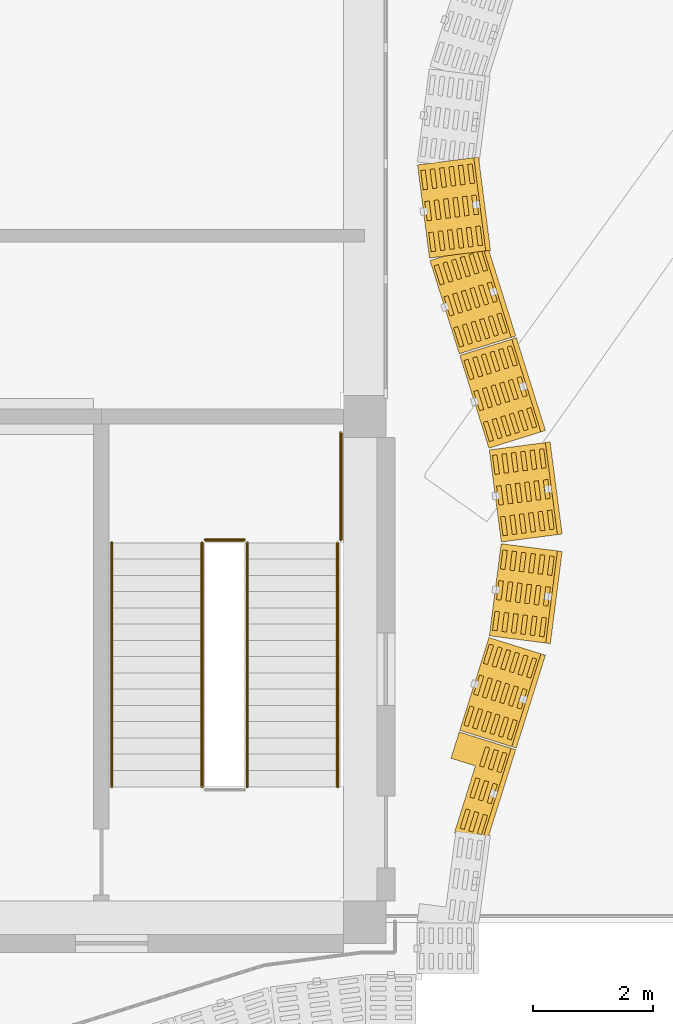
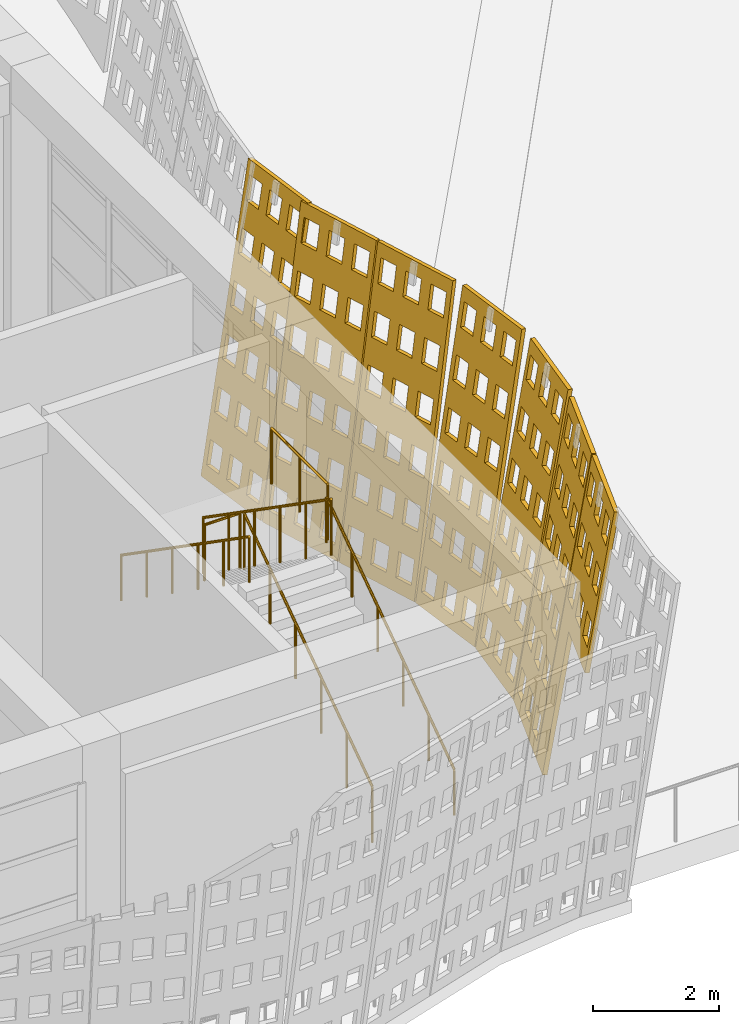
# One storey, part 155 of 210: 7 coverings, 6 railings.
"""IFC4 building model written with IfcOpenShell, lengths in metres."""

from ifc_helpers import new_model, si_unit, direction, frame, origin, origin_2d, place, context, subcontext, project, spatial, polyline, circle, outline, extrude, material, layer, layer_set, type_object, element, save


model = new_model("IFC4")

# Units and contexts
model_context = context("Model", 3, precision=1e-05, world=origin(), true_north=direction((0.0, 1.0)))
body_context = subcontext(model_context, "Body", "Model", "MODEL_VIEW")
ifc_project = project(units=[si_unit("LENGTHUNIT", "METRE"), si_unit("AREAUNIT", "SQUARE_METRE"), si_unit("VOLUMEUNIT", "CUBIC_METRE"), si_unit("PLANEANGLEUNIT", "RADIAN"), si_unit("MASSUNIT", "GRAM", prefix="KILO")], contexts=[model_context])

# Site, building, storey
site_placement = place(None, origin())
site = spatial("IfcSite", under=ifc_project, at=site_placement, CompositionType="ELEMENT")
building_placement = place(site_placement, origin())
building = spatial("IfcBuilding", under=site, at=building_placement, Name="Rain Tree Exposition and Congress Centre", CompositionType="ELEMENT")
storey_placement = place(building_placement, origin())
storey = spatial("IfcBuildingStorey", under=building, at=storey_placement, Name="L00", CompositionType="ELEMENT", Elevation=0.0)

# Coverings
ifc_material_1 = material(Name="Perforated terracotta", Category="masonry")
ifc_layer = layer(ifc_material_1, 0.080078125)
ifc_layer_set = layer_set([ifc_layer], Name="Perforated terracotta")
covering_type = type_object("IfcCoveringType", Name="Terracotta screen 80", PredefinedType="CLADDING", material=ifc_layer_set)
covering_1_placement = place(storey_placement, frame((51.554931640625, 1.574951171875, 0.0), z_axis=(-0.942480618158, 0.295859611525, 0.155555053482), x_axis=(-0.29950542383, -0.954094597562, 0.0)))
element("IfcCovering", 1, at=covering_1_placement, inside=storey, type_object=covering_type, Name="wing/screen/L00/036", PredefinedType="CLADDING", context=body_context, shape_type="SweptSolid", body=[
    extrude(outline(polyline([(-0.014892578125, 5.808349609375), (-0.014892578125, 2.7333984375), (-1.17919921875, 2.7333984375), (-1.17919921875, 0.0), (-1.635986328125, 0.0), (-1.635986328125, 5.808349609375), (-0.014892578125, 5.808349609375)]), holes=[polyline([(-0.11767578125, 3.154052734375), (-0.11767578125, 3.62255859375), (-0.45263671875, 3.62255859375), (-0.45263671875, 3.154052734375), (-0.11767578125, 3.154052734375)]), polyline([(-0.11767578125, 4.1220703125), (-0.11767578125, 4.590576171875), (-0.45263671875, 4.590576171875), (-0.45263671875, 4.1220703125), (-0.11767578125, 4.1220703125)]), polyline([(-0.11767578125, 5.090087890625), (-0.11767578125, 5.55859375), (-0.45263671875, 5.55859375), (-0.45263671875, 5.090087890625), (-0.11767578125, 5.090087890625)]), polyline([(-0.657958984375, 3.154052734375), (-0.657958984375, 3.62255859375), (-0.992919921875, 3.62255859375), (-0.992919921875, 3.154052734375), (-0.657958984375, 3.154052734375)]), polyline([(-0.657958984375, 4.1220703125), (-0.657958984375, 4.590576171875), (-0.992919921875, 4.590576171875), (-0.992919921875, 4.1220703125), (-0.657958984375, 4.1220703125)]), polyline([(-0.657958984375, 5.090087890625), (-0.657958984375, 5.55859375), (-0.992919921875, 5.55859375), (-0.992919921875, 5.090087890625), (-0.657958984375, 5.090087890625)]), polyline([(-1.1982421875, 3.154052734375), (-1.1982421875, 3.62255859375), (-1.533203125, 3.62255859375), (-1.533203125, 3.154052734375), (-1.1982421875, 3.154052734375)]), polyline([(-1.1982421875, 4.1220703125), (-1.1982421875, 4.590576171875), (-1.533203125, 4.590576171875), (-1.533203125, 4.1220703125), (-1.1982421875, 4.1220703125)]), polyline([(-1.1982421875, 5.090087890625), (-1.1982421875, 5.55859375), (-1.533203125, 5.55859375), (-1.533203125, 5.090087890625), (-1.1982421875, 5.090087890625)])]), origin(), (0.0, 0.0, 1.0), 0.080078125),
])
covering_2_placement = place(storey_placement, frame((52.050048828125, 3.14990234375, 0.0), z_axis=(-0.942480618158, 0.295859611525, 0.155555053482), x_axis=(-0.29950542383, -0.954094597562, 0.0)))
element("IfcCovering", 2, at=covering_2_placement, inside=storey, type_object=covering_type, Name="wing/screen/L00/037", PredefinedType="CLADDING", context=body_context, shape_type="SweptSolid", body=[
    extrude(outline(polyline([(-0.014892578125, 5.808349609375), (-0.014892578125, 0.0), (-1.62890625, 0.0), (-1.62890625, 5.808349609375), (-0.014892578125, 5.808349609375)]), holes=[polyline([(-0.1171875, 0.249755859375), (-0.1171875, 0.71826171875), (-0.45068359375, 0.71826171875), (-0.45068359375, 0.249755859375), (-0.1171875, 0.249755859375)]), polyline([(-0.1171875, 1.218017578125), (-0.1171875, 1.686279296875), (-0.45068359375, 1.686279296875), (-0.45068359375, 1.218017578125), (-0.1171875, 1.218017578125)]), polyline([(-0.1171875, 2.18603515625), (-0.1171875, 2.654296875), (-0.45068359375, 2.654296875), (-0.45068359375, 2.18603515625), (-0.1171875, 2.18603515625)]), polyline([(-0.1171875, 3.154052734375), (-0.1171875, 3.62255859375), (-0.45068359375, 3.62255859375), (-0.45068359375, 3.154052734375), (-0.1171875, 3.154052734375)]), polyline([(-0.1171875, 4.1220703125), (-0.1171875, 4.590576171875), (-0.45068359375, 4.590576171875), (-0.45068359375, 4.1220703125), (-0.1171875, 4.1220703125)]), polyline([(-0.1171875, 5.090087890625), (-0.1171875, 5.55859375), (-0.45068359375, 5.55859375), (-0.45068359375, 5.090087890625), (-0.1171875, 5.090087890625)]), polyline([(-0.6552734375, 0.249755859375), (-0.6552734375, 0.71826171875), (-0.98876953125, 0.71826171875), (-0.98876953125, 0.249755859375), (-0.6552734375, 0.249755859375)]), polyline([(-0.6552734375, 1.218017578125), (-0.6552734375, 1.686279296875), (-0.98876953125, 1.686279296875), (-0.98876953125, 1.218017578125), (-0.6552734375, 1.218017578125)]), polyline([(-0.6552734375, 2.18603515625), (-0.6552734375, 2.654296875), (-0.98876953125, 2.654296875), (-0.98876953125, 2.18603515625), (-0.6552734375, 2.18603515625)]), polyline([(-0.6552734375, 3.154052734375), (-0.6552734375, 3.62255859375), (-0.98876953125, 3.62255859375), (-0.98876953125, 3.154052734375), (-0.6552734375, 3.154052734375)]), polyline([(-0.6552734375, 4.1220703125), (-0.6552734375, 4.590576171875), (-0.98876953125, 4.590576171875), (-0.98876953125, 4.1220703125), (-0.6552734375, 4.1220703125)]), polyline([(-0.6552734375, 5.090087890625), (-0.6552734375, 5.55859375), (-0.98876953125, 5.55859375), (-0.98876953125, 5.090087890625), (-0.6552734375, 5.090087890625)]), polyline([(-1.193115234375, 0.249755859375), (-1.193115234375, 0.71826171875), (-1.526611328125, 0.71826171875), (-1.526611328125, 0.249755859375), (-1.193115234375, 0.249755859375)]), polyline([(-1.193115234375, 1.218017578125), (-1.193115234375, 1.686279296875), (-1.526611328125, 1.686279296875), (-1.526611328125, 1.218017578125), (-1.193115234375, 1.218017578125)]), polyline([(-1.193115234375, 2.18603515625), (-1.193115234375, 2.654296875), (-1.526611328125, 2.654296875), (-1.526611328125, 2.18603515625), (-1.193115234375, 2.18603515625)]), polyline([(-1.193115234375, 3.154052734375), (-1.193115234375, 3.62255859375), (-1.526611328125, 3.62255859375), (-1.526611328125, 3.154052734375), (-1.193115234375, 3.154052734375)]), polyline([(-1.193115234375, 4.1220703125), (-1.193115234375, 4.590576171875), (-1.526611328125, 4.590576171875), (-1.526611328125, 4.1220703125), (-1.193115234375, 4.1220703125)]), polyline([(-1.193115234375, 5.090087890625), (-1.193115234375, 5.55859375), (-1.526611328125, 5.55859375), (-1.526611328125, 5.090087890625), (-1.193115234375, 5.090087890625)])]), origin(), (0.0, 0.0, 1.0), 0.080078125),
])
covering_3_placement = place(storey_placement, frame((52.544921875, 4.72509765625, 0.0), z_axis=(-0.978771781185, 0.125405134464, 0.162109076259), x_axis=(-0.127086122318, -0.991891686382, 0.0)))
element("IfcCovering", 3, at=covering_3_placement, inside=storey, type_object=covering_type, Name="wing/screen/L00/038", PredefinedType="CLADDING", context=body_context, shape_type="SweptSolid", body=[
    extrude(outline(polyline([(-0.02197265625, 5.813720703125), (-0.02197265625, 0.0), (-1.56298828125, 0.0), (-1.56298828125, 5.813720703125), (-0.02197265625, 5.813720703125)]), holes=[polyline([(-0.11962890625, 0.25), (-0.11962890625, 0.718994140625), (-0.43798828125, 0.718994140625), (-0.43798828125, 0.25), (-0.11962890625, 0.25)]), polyline([(-0.11962890625, 1.218994140625), (-0.11962890625, 1.687744140625), (-0.43798828125, 1.687744140625), (-0.43798828125, 1.218994140625), (-0.11962890625, 1.218994140625)]), polyline([(-0.11962890625, 2.18798828125), (-0.11962890625, 2.65673828125), (-0.43798828125, 2.65673828125), (-0.43798828125, 2.18798828125), (-0.11962890625, 2.18798828125)]), polyline([(-0.11962890625, 3.15673828125), (-0.11962890625, 3.625732421875), (-0.43798828125, 3.625732421875), (-0.43798828125, 3.15673828125), (-0.11962890625, 3.15673828125)]), polyline([(-0.11962890625, 4.125732421875), (-0.11962890625, 4.594482421875), (-0.43798828125, 4.594482421875), (-0.43798828125, 4.125732421875), (-0.11962890625, 4.125732421875)]), polyline([(-0.11962890625, 5.0947265625), (-0.11962890625, 5.5634765625), (-0.43798828125, 5.5634765625), (-0.43798828125, 5.0947265625), (-0.11962890625, 5.0947265625)]), polyline([(-0.63330078125, 0.25), (-0.63330078125, 0.718994140625), (-0.95166015625, 0.718994140625), (-0.95166015625, 0.25), (-0.63330078125, 0.25)]), polyline([(-0.63330078125, 1.218994140625), (-0.63330078125, 1.687744140625), (-0.95166015625, 1.687744140625), (-0.95166015625, 1.218994140625), (-0.63330078125, 1.218994140625)]), polyline([(-0.63330078125, 2.18798828125), (-0.63330078125, 2.65673828125), (-0.95166015625, 2.65673828125), (-0.95166015625, 2.18798828125), (-0.63330078125, 2.18798828125)]), polyline([(-0.63330078125, 3.15673828125), (-0.63330078125, 3.625732421875), (-0.95166015625, 3.625732421875), (-0.95166015625, 3.15673828125), (-0.63330078125, 3.15673828125)]), polyline([(-0.63330078125, 4.125732421875), (-0.63330078125, 4.594482421875), (-0.95166015625, 4.594482421875), (-0.95166015625, 4.125732421875), (-0.63330078125, 4.125732421875)]), polyline([(-0.63330078125, 5.0947265625), (-0.63330078125, 5.5634765625), (-0.95166015625, 5.5634765625), (-0.95166015625, 5.0947265625), (-0.63330078125, 5.0947265625)]), polyline([(-1.146728515625, 0.25), (-1.146728515625, 0.718994140625), (-1.46533203125, 0.718994140625), (-1.46533203125, 0.25), (-1.146728515625, 0.25)]), polyline([(-1.146728515625, 1.218994140625), (-1.146728515625, 1.687744140625), (-1.46533203125, 1.687744140625), (-1.46533203125, 1.218994140625), (-1.146728515625, 1.218994140625)]), polyline([(-1.146728515625, 2.18798828125), (-1.146728515625, 2.65673828125), (-1.46533203125, 2.65673828125), (-1.46533203125, 2.18798828125), (-1.146728515625, 2.18798828125)]), polyline([(-1.146728515625, 3.15673828125), (-1.146728515625, 3.625732421875), (-1.46533203125, 3.625732421875), (-1.46533203125, 3.15673828125), (-1.146728515625, 3.15673828125)]), polyline([(-1.146728515625, 4.125732421875), (-1.146728515625, 4.594482421875), (-1.46533203125, 4.594482421875), (-1.46533203125, 4.125732421875), (-1.146728515625, 4.125732421875)]), polyline([(-1.146728515625, 5.0947265625), (-1.146728515625, 5.5634765625), (-1.46533203125, 5.5634765625), (-1.46533203125, 5.0947265625), (-1.146728515625, 5.0947265625)])]), origin(), (0.0, 0.0, 1.0), 0.079833984375),
])
covering_4_placement = place(storey_placement, frame((52.75, 6.300048828125, 0.0), z_axis=(-0.978522114732, -0.1280309309, 0.161562841373), x_axis=(0.129735338481, -0.991548658387, 0.0)))
element("IfcCovering", 4, at=covering_4_placement, inside=storey, type_object=covering_type, Name="wing/screen/L00/039", PredefinedType="CLADDING", context=body_context, shape_type="SweptSolid", body=[
    extrude(outline(polyline([(-0.025390625, 5.813720703125), (-0.025390625, 0.0), (-1.56640625, 0.0), (-1.56640625, 5.813720703125), (-0.025390625, 5.813720703125)]), holes=[polyline([(-0.123046875, 0.25), (-0.123046875, 0.718994140625), (-0.44140625, 0.718994140625), (-0.44140625, 0.25), (-0.123046875, 0.25)]), polyline([(-0.123046875, 1.218994140625), (-0.123046875, 1.687744140625), (-0.44140625, 1.687744140625), (-0.44140625, 1.218994140625), (-0.123046875, 1.218994140625)]), polyline([(-0.123046875, 2.18798828125), (-0.123046875, 2.65673828125), (-0.44140625, 2.65673828125), (-0.44140625, 2.18798828125), (-0.123046875, 2.18798828125)]), polyline([(-0.123046875, 3.15673828125), (-0.123046875, 3.625732421875), (-0.44140625, 3.625732421875), (-0.44140625, 3.15673828125), (-0.123046875, 3.15673828125)]), polyline([(-0.123046875, 4.125732421875), (-0.123046875, 4.594482421875), (-0.44140625, 4.594482421875), (-0.44140625, 4.125732421875), (-0.123046875, 4.125732421875)]), polyline([(-0.123046875, 5.0947265625), (-0.123046875, 5.5634765625), (-0.44140625, 5.5634765625), (-0.44140625, 5.0947265625), (-0.123046875, 5.0947265625)]), polyline([(-0.63671875, 0.25), (-0.63671875, 0.718994140625), (-0.955078125, 0.718994140625), (-0.955078125, 0.25), (-0.63671875, 0.25)]), polyline([(-0.63671875, 1.218994140625), (-0.63671875, 1.687744140625), (-0.955078125, 1.687744140625), (-0.955078125, 1.218994140625), (-0.63671875, 1.218994140625)]), polyline([(-0.63671875, 2.18798828125), (-0.63671875, 2.65673828125), (-0.955078125, 2.65673828125), (-0.955078125, 2.18798828125), (-0.63671875, 2.18798828125)]), polyline([(-0.63671875, 3.15673828125), (-0.63671875, 3.625732421875), (-0.955078125, 3.625732421875), (-0.955078125, 3.15673828125), (-0.63671875, 3.15673828125)]), polyline([(-0.63671875, 4.125732421875), (-0.63671875, 4.594482421875), (-0.955078125, 4.594482421875), (-0.955078125, 4.125732421875), (-0.63671875, 4.125732421875)]), polyline([(-0.63671875, 5.0947265625), (-0.63671875, 5.5634765625), (-0.955078125, 5.5634765625), (-0.955078125, 5.0947265625), (-0.63671875, 5.0947265625)]), polyline([(-1.150146484375, 0.25), (-1.150146484375, 0.718994140625), (-1.46875, 0.718994140625), (-1.46875, 0.25), (-1.150146484375, 0.25)]), polyline([(-1.150146484375, 1.218994140625), (-1.150146484375, 1.687744140625), (-1.46875, 1.687744140625), (-1.46875, 1.218994140625), (-1.150146484375, 1.218994140625)]), polyline([(-1.150146484375, 2.18798828125), (-1.150146484375, 2.65673828125), (-1.46875, 2.65673828125), (-1.46875, 2.18798828125), (-1.150146484375, 2.18798828125)]), polyline([(-1.150146484375, 3.15673828125), (-1.150146484375, 3.625732421875), (-1.46875, 3.625732421875), (-1.46875, 3.15673828125), (-1.150146484375, 3.15673828125)]), polyline([(-1.150146484375, 4.125732421875), (-1.150146484375, 4.594482421875), (-1.46875, 4.594482421875), (-1.46875, 4.125732421875), (-1.150146484375, 4.125732421875)]), polyline([(-1.150146484375, 5.0947265625), (-1.150146484375, 5.5634765625), (-1.46875, 5.5634765625), (-1.46875, 5.0947265625), (-1.150146484375, 5.0947265625)])]), origin(), (0.0, 0.0, 1.0), 0.080078125),
])
covering_5_placement = place(storey_placement, frame((52.544921875, 7.875, 0.0), z_axis=(-0.942480618158, -0.295859611525, 0.155555053482), x_axis=(0.29950542383, -0.954094597562, 0.0)))
element("IfcCovering", 5, at=covering_5_placement, inside=storey, type_object=covering_type, Name="wing/screen/L00/040", PredefinedType="CLADDING", context=body_context, shape_type="SweptSolid", body=[
    extrude(outline(polyline([(-0.02197265625, 5.808349609375), (-0.02197265625, 0.0), (-1.635986328125, 0.0), (-1.635986328125, 5.808349609375), (-0.02197265625, 5.808349609375)]), holes=[polyline([(-0.124267578125, 0.249755859375), (-0.124267578125, 0.71826171875), (-0.457763671875, 0.71826171875), (-0.457763671875, 0.249755859375), (-0.124267578125, 0.249755859375)]), polyline([(-0.124267578125, 1.218017578125), (-0.124267578125, 1.686279296875), (-0.457763671875, 1.686279296875), (-0.457763671875, 1.218017578125), (-0.124267578125, 1.218017578125)]), polyline([(-0.124267578125, 2.18603515625), (-0.124267578125, 2.654296875), (-0.457763671875, 2.654296875), (-0.457763671875, 2.18603515625), (-0.124267578125, 2.18603515625)]), polyline([(-0.124267578125, 3.154052734375), (-0.124267578125, 3.62255859375), (-0.457763671875, 3.62255859375), (-0.457763671875, 3.154052734375), (-0.124267578125, 3.154052734375)]), polyline([(-0.124267578125, 4.1220703125), (-0.124267578125, 4.590576171875), (-0.457763671875, 4.590576171875), (-0.457763671875, 4.1220703125), (-0.124267578125, 4.1220703125)]), polyline([(-0.124267578125, 5.090087890625), (-0.124267578125, 5.55859375), (-0.457763671875, 5.55859375), (-0.457763671875, 5.090087890625), (-0.124267578125, 5.090087890625)]), polyline([(-0.662109375, 0.249755859375), (-0.662109375, 0.71826171875), (-0.995849609375, 0.71826171875), (-0.995849609375, 0.249755859375), (-0.662109375, 0.249755859375)]), polyline([(-0.662109375, 1.218017578125), (-0.662109375, 1.686279296875), (-0.995849609375, 1.686279296875), (-0.995849609375, 1.218017578125), (-0.662109375, 1.218017578125)]), polyline([(-0.662109375, 2.18603515625), (-0.662109375, 2.654296875), (-0.995849609375, 2.654296875), (-0.995849609375, 2.18603515625), (-0.662109375, 2.18603515625)]), polyline([(-0.662109375, 3.154052734375), (-0.662109375, 3.62255859375), (-0.995849609375, 3.62255859375), (-0.995849609375, 3.154052734375), (-0.662109375, 3.154052734375)]), polyline([(-0.662109375, 4.1220703125), (-0.662109375, 4.590576171875), (-0.995849609375, 4.590576171875), (-0.995849609375, 4.1220703125), (-0.662109375, 4.1220703125)]), polyline([(-0.662109375, 5.090087890625), (-0.662109375, 5.55859375), (-0.995849609375, 5.55859375), (-0.995849609375, 5.090087890625), (-0.662109375, 5.090087890625)]), polyline([(-1.2001953125, 0.249755859375), (-1.2001953125, 0.71826171875), (-1.53369140625, 0.71826171875), (-1.53369140625, 0.249755859375), (-1.2001953125, 0.249755859375)]), polyline([(-1.2001953125, 1.218017578125), (-1.2001953125, 1.686279296875), (-1.53369140625, 1.686279296875), (-1.53369140625, 1.218017578125), (-1.2001953125, 1.218017578125)]), polyline([(-1.2001953125, 2.18603515625), (-1.2001953125, 2.654296875), (-1.53369140625, 2.654296875), (-1.53369140625, 2.18603515625), (-1.2001953125, 2.18603515625)]), polyline([(-1.2001953125, 3.154052734375), (-1.2001953125, 3.62255859375), (-1.53369140625, 3.62255859375), (-1.53369140625, 3.154052734375), (-1.2001953125, 3.154052734375)]), polyline([(-1.2001953125, 4.1220703125), (-1.2001953125, 4.590576171875), (-1.53369140625, 4.590576171875), (-1.53369140625, 4.1220703125), (-1.2001953125, 4.1220703125)]), polyline([(-1.2001953125, 5.090087890625), (-1.2001953125, 5.55859375), (-1.53369140625, 5.55859375), (-1.53369140625, 5.090087890625), (-1.2001953125, 5.090087890625)])]), origin(), (0.0, 0.0, 1.0), 0.080078125),
])
covering_6_placement = place(storey_placement, frame((52.050048828125, 9.449951171875, 0.0), z_axis=(-0.942480618158, -0.295859611525, 0.155555053482), x_axis=(0.29950542383, -0.954094597562, 0.0)))
element("IfcCovering", 6, at=covering_6_placement, inside=storey, type_object=covering_type, Name="wing/screen/L00/041", PredefinedType="CLADDING", context=body_context, shape_type="SweptSolid", body=[
    extrude(outline(polyline([(-0.014892578125, 5.808349609375), (-0.014892578125, 0.0), (-1.635986328125, 0.0), (-1.635986328125, 5.808349609375), (-0.014892578125, 5.808349609375)]), holes=[polyline([(-0.11767578125, 0.249755859375), (-0.11767578125, 0.71826171875), (-0.45263671875, 0.71826171875), (-0.45263671875, 0.249755859375), (-0.11767578125, 0.249755859375)]), polyline([(-0.11767578125, 1.218017578125), (-0.11767578125, 1.686279296875), (-0.45263671875, 1.686279296875), (-0.45263671875, 1.218017578125), (-0.11767578125, 1.218017578125)]), polyline([(-0.11767578125, 2.18603515625), (-0.11767578125, 2.654296875), (-0.45263671875, 2.654296875), (-0.45263671875, 2.18603515625), (-0.11767578125, 2.18603515625)]), polyline([(-0.11767578125, 3.154052734375), (-0.11767578125, 3.62255859375), (-0.45263671875, 3.62255859375), (-0.45263671875, 3.154052734375), (-0.11767578125, 3.154052734375)]), polyline([(-0.11767578125, 4.1220703125), (-0.11767578125, 4.590576171875), (-0.45263671875, 4.590576171875), (-0.45263671875, 4.1220703125), (-0.11767578125, 4.1220703125)]), polyline([(-0.11767578125, 5.090087890625), (-0.11767578125, 5.55859375), (-0.45263671875, 5.55859375), (-0.45263671875, 5.090087890625), (-0.11767578125, 5.090087890625)]), polyline([(-0.657958984375, 0.249755859375), (-0.657958984375, 0.71826171875), (-0.992919921875, 0.71826171875), (-0.992919921875, 0.249755859375), (-0.657958984375, 0.249755859375)]), polyline([(-0.657958984375, 1.218017578125), (-0.657958984375, 1.686279296875), (-0.992919921875, 1.686279296875), (-0.992919921875, 1.218017578125), (-0.657958984375, 1.218017578125)]), polyline([(-0.657958984375, 2.18603515625), (-0.657958984375, 2.654296875), (-0.992919921875, 2.654296875), (-0.992919921875, 2.18603515625), (-0.657958984375, 2.18603515625)]), polyline([(-0.657958984375, 3.154052734375), (-0.657958984375, 3.62255859375), (-0.992919921875, 3.62255859375), (-0.992919921875, 3.154052734375), (-0.657958984375, 3.154052734375)]), polyline([(-0.657958984375, 4.1220703125), (-0.657958984375, 4.590576171875), (-0.992919921875, 4.590576171875), (-0.992919921875, 4.1220703125), (-0.657958984375, 4.1220703125)]), polyline([(-0.657958984375, 5.090087890625), (-0.657958984375, 5.55859375), (-0.992919921875, 5.55859375), (-0.992919921875, 5.090087890625), (-0.657958984375, 5.090087890625)]), polyline([(-1.1982421875, 0.249755859375), (-1.1982421875, 0.71826171875), (-1.533203125, 0.71826171875), (-1.533203125, 0.249755859375), (-1.1982421875, 0.249755859375)]), polyline([(-1.1982421875, 1.218017578125), (-1.1982421875, 1.686279296875), (-1.533203125, 1.686279296875), (-1.533203125, 1.218017578125), (-1.1982421875, 1.218017578125)]), polyline([(-1.1982421875, 2.18603515625), (-1.1982421875, 2.654296875), (-1.533203125, 2.654296875), (-1.533203125, 2.18603515625), (-1.1982421875, 2.18603515625)]), polyline([(-1.1982421875, 3.154052734375), (-1.1982421875, 3.62255859375), (-1.533203125, 3.62255859375), (-1.533203125, 3.154052734375), (-1.1982421875, 3.154052734375)]), polyline([(-1.1982421875, 4.1220703125), (-1.1982421875, 4.590576171875), (-1.533203125, 4.590576171875), (-1.533203125, 4.1220703125), (-1.1982421875, 4.1220703125)]), polyline([(-1.1982421875, 5.090087890625), (-1.1982421875, 5.55859375), (-1.533203125, 5.55859375), (-1.533203125, 5.090087890625), (-1.1982421875, 5.090087890625)])]), origin(), (0.0, 0.0, 1.0), 0.080078125),
])
covering_7_placement = place(storey_placement, frame((51.554931640625, 11.02490234375, 0.0), z_axis=(-0.978771781185, -0.125405134464, 0.162109076259), x_axis=(0.127086122318, -0.991891686382, 0.0)))
element("IfcCovering", 7, at=covering_7_placement, inside=storey, type_object=covering_type, Name="wing/screen/L00/042", PredefinedType="CLADDING", context=body_context, shape_type="SweptSolid", body=[
    extrude(outline(polyline([(-0.014892578125, 5.813720703125), (-0.014892578125, 0.0), (-1.5732421875, 0.0), (-1.5732421875, 5.813720703125), (-0.014892578125, 5.813720703125)]), holes=[polyline([(-0.11376953125, 0.25), (-0.11376953125, 0.718994140625), (-0.435791015625, 0.718994140625), (-0.435791015625, 0.25), (-0.11376953125, 0.25)]), polyline([(-0.11376953125, 1.218994140625), (-0.11376953125, 1.687744140625), (-0.435791015625, 1.687744140625), (-0.435791015625, 1.218994140625), (-0.11376953125, 1.218994140625)]), polyline([(-0.11376953125, 2.18798828125), (-0.11376953125, 2.65673828125), (-0.435791015625, 2.65673828125), (-0.435791015625, 2.18798828125), (-0.11376953125, 2.18798828125)]), polyline([(-0.11376953125, 3.15673828125), (-0.11376953125, 3.625732421875), (-0.435791015625, 3.625732421875), (-0.435791015625, 3.15673828125), (-0.11376953125, 3.15673828125)]), polyline([(-0.11376953125, 4.125732421875), (-0.11376953125, 4.594482421875), (-0.435791015625, 4.594482421875), (-0.435791015625, 4.125732421875), (-0.11376953125, 4.125732421875)]), polyline([(-0.11376953125, 5.0947265625), (-0.11376953125, 5.5634765625), (-0.435791015625, 5.5634765625), (-0.435791015625, 5.0947265625), (-0.11376953125, 5.0947265625)]), polyline([(-0.633056640625, 0.25), (-0.633056640625, 0.718994140625), (-0.955078125, 0.718994140625), (-0.955078125, 0.25), (-0.633056640625, 0.25)]), polyline([(-0.633056640625, 1.218994140625), (-0.633056640625, 1.687744140625), (-0.955078125, 1.687744140625), (-0.955078125, 1.218994140625), (-0.633056640625, 1.218994140625)]), polyline([(-0.633056640625, 2.18798828125), (-0.633056640625, 2.65673828125), (-0.955078125, 2.65673828125), (-0.955078125, 2.18798828125), (-0.633056640625, 2.18798828125)]), polyline([(-0.633056640625, 3.15673828125), (-0.633056640625, 3.625732421875), (-0.955078125, 3.625732421875), (-0.955078125, 3.15673828125), (-0.633056640625, 3.15673828125)]), polyline([(-0.633056640625, 4.125732421875), (-0.633056640625, 4.594482421875), (-0.955078125, 4.594482421875), (-0.955078125, 4.125732421875), (-0.633056640625, 4.125732421875)]), polyline([(-0.633056640625, 5.0947265625), (-0.633056640625, 5.5634765625), (-0.955078125, 5.5634765625), (-0.955078125, 5.0947265625), (-0.633056640625, 5.0947265625)]), polyline([(-1.152587890625, 0.25), (-1.152587890625, 0.718994140625), (-1.474609375, 0.718994140625), (-1.474609375, 0.25), (-1.152587890625, 0.25)]), polyline([(-1.152587890625, 1.218994140625), (-1.152587890625, 1.687744140625), (-1.474609375, 1.687744140625), (-1.474609375, 1.218994140625), (-1.152587890625, 1.218994140625)]), polyline([(-1.152587890625, 2.18798828125), (-1.152587890625, 2.65673828125), (-1.474609375, 2.65673828125), (-1.474609375, 2.18798828125), (-1.152587890625, 2.18798828125)]), polyline([(-1.152587890625, 3.15673828125), (-1.152587890625, 3.625732421875), (-1.474609375, 3.625732421875), (-1.474609375, 3.15673828125), (-1.152587890625, 3.15673828125)]), polyline([(-1.152587890625, 4.125732421875), (-1.152587890625, 4.594482421875), (-1.474609375, 4.594482421875), (-1.474609375, 4.125732421875), (-1.152587890625, 4.125732421875)]), polyline([(-1.152587890625, 5.0947265625), (-1.152587890625, 5.5634765625), (-1.474609375, 5.5634765625), (-1.474609375, 5.0947265625), (-1.152587890625, 5.0947265625)])]), origin(), (0.0, 0.0, 1.0), 0.079833984375),
])

# Railings
ifc_material_2 = material(Name="Steel S355J2H", Category="steel")
railing_type_1 = type_object("IfcRailingType", Name="Wing stair guard 1100", PredefinedType="GUARDRAIL", material=ifc_material_2)
railing_1_placement = place(storey_placement, frame((48.449951171875, 2.25, 0.1875)))
element("IfcRailing", 8, at=railing_1_placement, inside=storey, type_object=railing_type_1, Name="L00 ST-W2 stair guard 1", PredefinedType="GUARDRAIL", context=body_context, shape_type="SweptSolid", body=[
    extrude(circle(Radius=0.02392578125, at=origin_2d()), frame((0.0, 0.0, 1.076171875), z_axis=(0.0, 0.821373187493, 0.570391170047), x_axis=(-1.0, 0.0, 0.0)), (0.0, 0.0, 1.0), 4.930908203125),
    extrude(circle(Radius=0.02099609375, at=origin_2d()), origin(), (0.0, 0.0, 1.0), 1.052001953125),
    extrude(circle(Radius=0.02099609375, at=origin_2d()), frame((0.0, 0.81005859375, 0.5625)), (0.0, 0.0, 1.0), 1.052001953125),
    extrude(circle(Radius=0.02099609375, at=origin_2d()), frame((0.0, 1.6201171875, 1.125)), (0.0, 0.0, 1.0), 1.052001953125),
    extrude(circle(Radius=0.02099609375, at=origin_2d()), frame((0.0, 2.429931640625, 1.6875)), (0.0, 0.0, 1.0), 1.052001953125),
    extrude(circle(Radius=0.02099609375, at=origin_2d()), frame((0.0, 3.239990234375, 2.25)), (0.0, 0.0, 1.0), 1.052001953125),
    extrude(circle(Radius=0.02099609375, at=origin_2d()), frame((0.0, 4.050048828125, 2.8125)), (0.0, 0.0, 1.0), 1.052001953125),
])
railing_2_placement = place(storey_placement, frame((48.39990234375, 6.35009765625, 3.0)))
element("IfcRailing", 9, at=railing_2_placement, inside=storey, type_object=railing_type_1, Name="L00 ST-W2 stair guard 2", PredefinedType="GUARDRAIL", context=body_context, shape_type="SweptSolid", body=[
    extrude(circle(Radius=0.02392578125, at=origin_2d()), frame((0.0, 0.0, 1.076171875), z_axis=(-1.0, 0.0, 0.0), x_axis=(0.0, -1.0, 0.0)), (0.0, 0.0, 1.0), 0.64990234375),
    extrude(circle(Radius=0.02099609375, at=origin_2d()), origin(), (0.0, 0.0, 1.0), 1.052001953125),
    extrude(circle(Radius=0.02099609375, at=origin_2d()), frame((-0.64990234375, 0.0, 0.0)), (0.0, 0.0, 1.0), 1.052001953125),
])
railing_3_placement = place(storey_placement, frame((47.699951171875, 6.300048828125, 3.1875)))
element("IfcRailing", 10, at=railing_3_placement, inside=storey, type_object=railing_type_1, Name="L00 ST-W2 stair guard 3", PredefinedType="GUARDRAIL", context=body_context, shape_type="SweptSolid", body=[
    extrude(circle(Radius=0.02392578125, at=origin_2d()), frame((0.0, 0.0, 1.076171875), z_axis=(0.0, -0.821373187493, 0.570391170047), x_axis=(1.0, 0.0, 0.0)), (0.0, 0.0, 1.0), 4.930908203125),
    extrude(circle(Radius=0.02099609375, at=origin_2d()), origin(), (0.0, 0.0, 1.0), 1.052001953125),
    extrude(circle(Radius=0.02099609375, at=origin_2d()), frame((0.0, -0.81005859375, 0.5625)), (0.0, 0.0, 1.0), 1.052001953125),
    extrude(circle(Radius=0.02099609375, at=origin_2d()), frame((0.0, -1.6201171875, 1.125)), (0.0, 0.0, 1.0), 1.052001953125),
    extrude(circle(Radius=0.02099609375, at=origin_2d()), frame((0.0, -2.429931640625, 1.6875)), (0.0, 0.0, 1.0), 1.052001953125),
    extrude(circle(Radius=0.02099609375, at=origin_2d()), frame((0.0, -3.239990234375, 2.25)), (0.0, 0.0, 1.0), 1.052001953125),
    extrude(circle(Radius=0.02099609375, at=origin_2d()), frame((0.0, -4.050048828125, 2.8125)), (0.0, 0.0, 1.0), 1.052001953125),
])
railing_4_placement = place(storey_placement, frame((50.0029296875, 6.35009765625, 3.0)))
element("IfcRailing", 11, at=railing_4_placement, inside=storey, type_object=railing_type_1, Name="wing/stair/ST-W2-L00-LG1", PredefinedType="GUARDRAIL", context=body_context, shape_type="SweptSolid", body=[
    extrude(circle(Radius=0.02392578125, at=origin_2d()), frame((0.0, 0.0, 1.076171875), z_axis=(0.0, 1.0, 0.0), x_axis=(-1.0, 0.0, 0.0)), (0.0, 0.0, 1.0), 1.77783203125),
    extrude(circle(Radius=0.02099609375, at=origin_2d()), origin(), (0.0, 0.0, 1.0), 1.052001953125),
    extrude(circle(Radius=0.02099609375, at=origin_2d()), frame((0.0, 0.888916015625, 0.0)), (0.0, 0.0, 1.0), 1.052001953125),
    extrude(circle(Radius=0.02099609375, at=origin_2d()), frame((0.0, 1.77783203125, 0.0)), (0.0, 0.0, 1.0), 1.052001953125),
])
ifc_material_3 = material(Name="Steel S355J2H", Category="steel")
railing_type_2 = type_object("IfcRailingType", Name="Wing stair handrail 900", PredefinedType="HANDRAIL", material=ifc_material_3)
railing_5_placement = place(storey_placement, frame((49.949951171875, 2.25, 0.1875)))
element("IfcRailing", 12, at=railing_5_placement, inside=storey, type_object=railing_type_2, Name="L00 ST-W2 stair handrail 1", PredefinedType="HANDRAIL", context=body_context, shape_type="SweptSolid", body=[
    extrude(circle(Radius=0.02392578125, at=origin_2d()), frame((0.0, 0.0, 0.8759765625), z_axis=(0.0, 0.821373187493, 0.570391170047), x_axis=(-1.0, 0.0, 0.0)), (0.0, 0.0, 1.0), 4.930908203125),
    extrude(circle(Radius=0.02099609375, at=origin_2d()), origin(), (0.0, 0.0, 1.0), 0.851806640625),
    extrude(circle(Radius=0.02099609375, at=origin_2d()), frame((0.0, 0.81005859375, 0.5625)), (0.0, 0.0, 1.0), 0.851806640625),
    extrude(circle(Radius=0.02099609375, at=origin_2d()), frame((0.0, 1.6201171875, 1.125)), (0.0, 0.0, 1.0), 0.851806640625),
    extrude(circle(Radius=0.02099609375, at=origin_2d()), frame((0.0, 2.429931640625, 1.6875)), (0.0, 0.0, 1.0), 0.851806640625),
    extrude(circle(Radius=0.02099609375, at=origin_2d()), frame((0.0, 3.239990234375, 2.25)), (0.0, 0.0, 1.0), 0.851806640625),
    extrude(circle(Radius=0.02099609375, at=origin_2d()), frame((0.0, 4.050048828125, 2.8125)), (0.0, 0.0, 1.0), 0.851806640625),
])
railing_6_placement = place(storey_placement, frame((46.199951171875, 6.300048828125, 3.1875)))
element("IfcRailing", 13, at=railing_6_placement, inside=storey, type_object=railing_type_2, Name="L00 ST-W2 stair handrail 2", PredefinedType="HANDRAIL", context=body_context, shape_type="SweptSolid", body=[
    extrude(circle(Radius=0.02392578125, at=origin_2d()), frame((0.0, 0.0, 0.8759765625), z_axis=(0.0, -0.821373187493, 0.570391170047), x_axis=(1.0, 0.0, 0.0)), (0.0, 0.0, 1.0), 4.930908203125),
    extrude(circle(Radius=0.02099609375, at=origin_2d()), origin(), (0.0, 0.0, 1.0), 0.851806640625),
    extrude(circle(Radius=0.02099609375, at=origin_2d()), frame((0.0, -0.81005859375, 0.5625)), (0.0, 0.0, 1.0), 0.851806640625),
    extrude(circle(Radius=0.02099609375, at=origin_2d()), frame((0.0, -1.6201171875, 1.125)), (0.0, 0.0, 1.0), 0.851806640625),
    extrude(circle(Radius=0.02099609375, at=origin_2d()), frame((0.0, -2.429931640625, 1.6875)), (0.0, 0.0, 1.0), 0.851806640625),
    extrude(circle(Radius=0.02099609375, at=origin_2d()), frame((0.0, -3.239990234375, 2.25)), (0.0, 0.0, 1.0), 0.851806640625),
    extrude(circle(Radius=0.02099609375, at=origin_2d()), frame((0.0, -4.050048828125, 2.8125)), (0.0, 0.0, 1.0), 0.851806640625),
])

save(model, "model.ifc")
